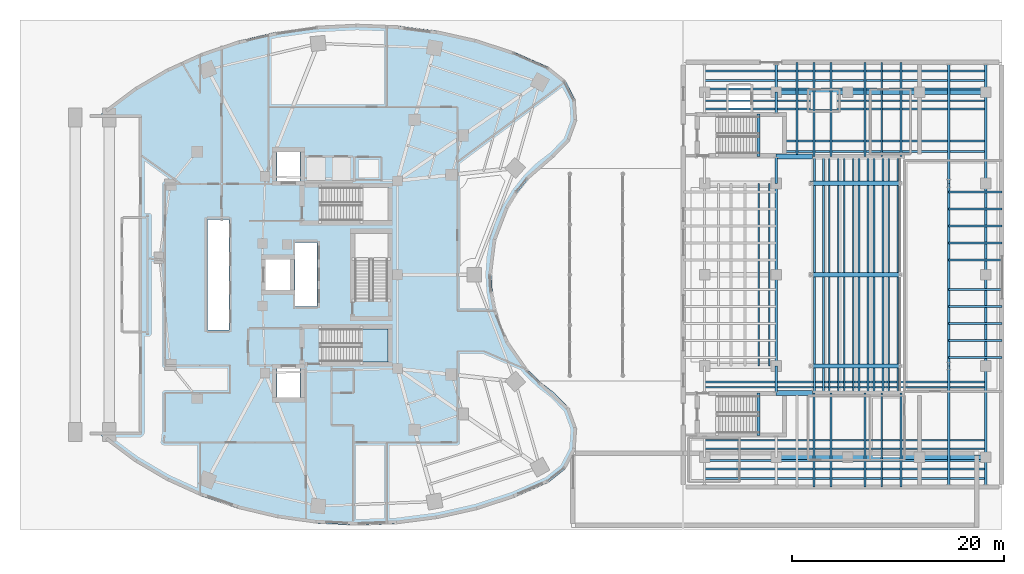
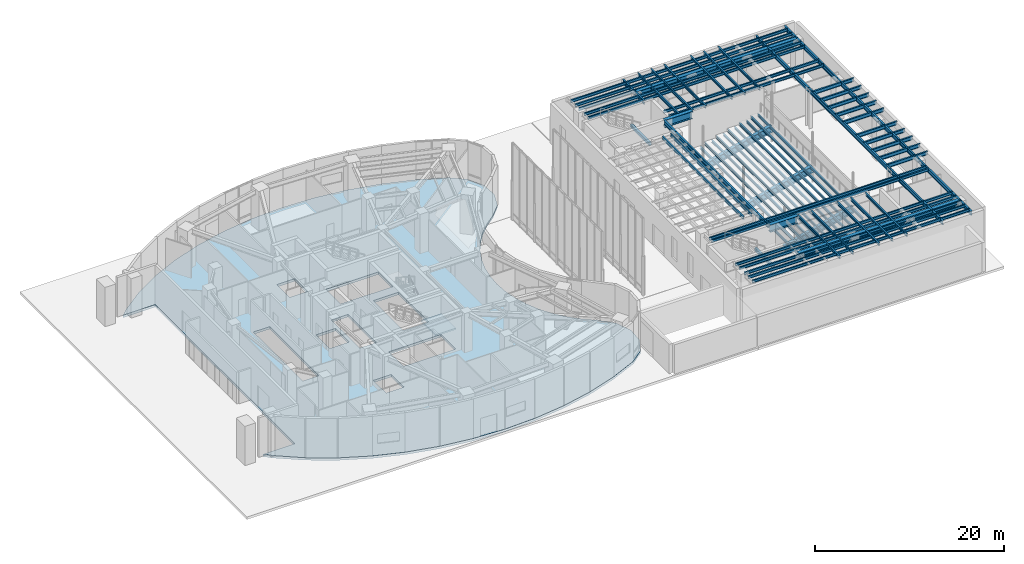
# One storey, part 13 of 28: 73 beams, 2 slabs, 1 element without a shape of its own.
"""IFC4 building model written with IfcOpenShell, lengths in metres."""

from ifc_helpers import new_model, si_unit, direction, frame, origin, origin_2d, place, context, subcontext, project, spatial, polyline, rectangle, i_section, outline, extrude, material, layer, layer_set, material_profile, profile_set, type_object, element, aggregate, save


model = new_model("IFC4")

# Units and contexts
model_context = context("Model", 3, precision=1e-05, world=origin(), true_north=direction((0.0, 1.0)))
body_context = subcontext(model_context, "Body", "Model", "MODEL_VIEW")
ifc_project = project(units=[si_unit("LENGTHUNIT", "METRE"), si_unit("AREAUNIT", "SQUARE_METRE"), si_unit("VOLUMEUNIT", "CUBIC_METRE"), si_unit("PLANEANGLEUNIT", "RADIAN"), si_unit("MASSUNIT", "GRAM", prefix="KILO")], contexts=[model_context])

# Site, building, storey
site_placement = place(None, origin())
site = spatial("IfcSite", under=ifc_project, at=site_placement, CompositionType="ELEMENT")
building_placement = place(site_placement, origin())
building = spatial("IfcBuilding", under=site, at=building_placement, Name="Korentha Bioscience Tower", CompositionType="ELEMENT")
storey_placement = place(building_placement, origin())
storey = spatial("IfcBuildingStorey", under=building, at=storey_placement, Name="L00", CompositionType="ELEMENT", Elevation=0.0)

# Beams
ifc_material_1 = material(Name="Steel S355", Category="steel")
ifc_material_profile_1 = material_profile(ifc_material_1, i_section(OverallWidth=0.166015625, OverallDepth=0.31298828125, WebThickness=0.006591796875, FlangeThickness=0.01123046875, at=origin_2d()), Name="Steel S355")
ifc_profile_set_1 = profile_set([ifc_material_profile_1], Name="Steel S355 (TS-310)")
beam_type_1 = type_object("IfcBeamType", Name="Auditorium Tier Stringer Beam W310x44.5", PredefinedType="BEAM", material=ifc_profile_set_1)
for number, where, z_axis, x_axis, name in (
    (1, (76.85009765625, 15.85009765625, -0.056396484375), (0.0, 1.0, 0.0), (-1.0, 0.0, 0.0), "L00 Tier Stringer Beam 1F"),
    (2, (77.699951171875, 15.85009765625, -0.056396484375), (0.0, 1.0, 0.0), (-1.0, 0.0, 0.0), "L00 Tier Stringer Beam 1B"),
    (3, (78.25, 15.85009765625, 0.303466796875), (0.0, 1.0, 0.0), (-1.0, 0.0, 0.0), "L00 Tier Stringer Beam 2F"),
    (4, (79.10009765625, 15.85009765625, 0.303466796875), (0.0, 1.0, 0.0), (-1.0, 0.0, 0.0), "L00 Tier Stringer Beam 2B"),
    (5, (79.64990234375, 15.85009765625, 0.66357421875), (0.0, 1.0, 0.0), (-1.0, 0.0, 0.0), "L00 Tier Stringer Beam 3F"),
    (6, (80.5, 15.85009765625, 0.66357421875), (0.0, 1.0, 0.0), (-1.0, 0.0, 0.0), "L00 Tier Stringer Beam 3B"),
    (7, (81.050048828125, 15.85009765625, 1.0234375), (0.0, 1.0, 0.0), (-1.0, 0.0, 0.0), "L00 Tier Stringer Beam 4F"),
    (8, (81.89990234375, 15.85009765625, 1.0234375), (0.0, 1.0, 0.0), (-1.0, 0.0, 0.0), "L00 Tier Stringer Beam 4B"),
    (9, (82.449951171875, 15.85009765625, 1.383544921875), (0.0, 1.0, 0.0), (-1.0, 0.0, 0.0), "L00 Tier Stringer Beam 5F"),
    (10, (83.300048828125, 15.85009765625, 1.383544921875), (0.0, 1.0, 0.0), (-1.0, 0.0, 0.0), "L00 Tier Stringer Beam 5B"),
    (11, (83.85009765625, 15.85009765625, 1.743408203125), (0.0, 1.0, 0.0), (-1.0, 0.0, 0.0), "L00 Tier Stringer Beam 6F"),
    (12, (84.699951171875, 15.85009765625, 1.743408203125), (0.0, 1.0, 0.0), (-1.0, 0.0, 0.0), "L00 Tier Stringer Beam 6B"),
):
    element("IfcBeam", number, at=place(storey_placement, frame(where, z_axis=z_axis, x_axis=x_axis)), inside=storey, type_object=beam_type_1, Name=name, PredefinedType="BEAM", context=body_context, shape_type="SweptSolid", body=[
        extrude(i_section(OverallWidth=0.166015625, OverallDepth=0.31298828125, WebThickness=0.006591796875, FlangeThickness=0.01123046875, at=origin_2d()), origin(), (0.0, 0.0, 1.0), 22.2998046875),
    ])
ifc_material_2 = material(Name="Concrete C50", Category="concrete")
ifc_material_profile_2 = material_profile(ifc_material_2, rectangle(XDim=0.280029296875, YDim=0.3798828125, at=origin_2d()), Name="Concrete C50")
ifc_profile_set_2 = profile_set([ifc_material_profile_2], Name="Concrete C50 (ST-HB380)")
beam_type_2 = type_object("IfcBeamType", Name="Concrete Stair Header Beam RC 280x380", PredefinedType="BEAM", material=ifc_profile_set_2)
for number, where, z_axis, x_axis, name in (
    (13, (71.570068359375, 11.85009765625, 2.510009765625), (0.0, 1.0, 0.0), (-1.0, 0.0, 0.0), "L00 ST-T1 Half-Landing Header Beam 1"),
    (14, (71.570068359375, 38.14990234375, 2.510009765625), (0.0, 1.0, 0.0), (-1.0, 0.0, 0.0), "L00 ST-T2 Half-Landing Header Beam 1"),
):
    element("IfcBeam", number, at=place(storey_placement, frame(where, z_axis=z_axis, x_axis=x_axis)), inside=storey, type_object=beam_type_2, Name=name, PredefinedType="BEAM", context=body_context, shape_type="SweptSolid", body=[
        extrude(rectangle(XDim=0.280029296875, YDim=0.3798828125, at=origin_2d()), origin(), (0.0, 0.0, 1.0), 4.0),
    ])
ifc_material_profile_3 = material_profile(ifc_material_1, i_section(OverallWidth=0.208984375, OverallDepth=0.532958984375, WebThickness=0.01025390625, FlangeThickness=0.015625, at=origin_2d()), Name="Steel S355")
ifc_profile_set_3 = profile_set([ifc_material_profile_3], Name="Steel S355 (SB-530)")
beam_type_3 = type_object("IfcBeamType", Name="Perimeter Ring Spandrel Girder W530x92", PredefinedType="SPANDREL", material=ifc_profile_set_3)
beam_1_placement = place(storey_placement, frame((73.25, 15.949951171875, 4.83349609375), z_axis=(0.0, 1.0, 0.0), x_axis=(-1.0, 0.0, 0.0)))
element("IfcBeam", 15, at=beam_1_placement, inside=storey, type_object=beam_type_3, Name="L00 Theatre Collector Girder 2-3", PredefinedType="SPANDREL", context=body_context, shape_type="SweptSolid", body=[
    extrude(i_section(OverallWidth=0.208984375, OverallDepth=0.532958984375, WebThickness=0.01025390625, FlangeThickness=0.015625, at=origin_2d()), origin(), (0.0, 0.0, 1.0), 2.449951171875),
])
for number, where, z_axis, x_axis, name in (
    (16, (73.25, 18.39990234375, 4.83349609375), (0.0, 1.0, 0.0), (-1.0, 0.0, 0.0), "L00 Theatre Collector Girder 2-4"),
    (17, (73.25, 27.0, 4.83349609375), (0.0, 1.0, 0.0), (-1.0, 0.0, 0.0), "L00 Theatre Collector Girder 2-5"),
):
    element("IfcBeam", number, at=place(storey_placement, frame(where, z_axis=z_axis, x_axis=x_axis)), inside=storey, type_object=beam_type_3, Name=name, PredefinedType="SPANDREL", context=body_context, shape_type="SweptSolid", body=[
        extrude(i_section(OverallWidth=0.208984375, OverallDepth=0.532958984375, WebThickness=0.01025390625, FlangeThickness=0.015625, at=origin_2d()), origin(), (0.0, 0.0, 1.0), 8.60009765625),
    ])
beam_2_placement = place(storey_placement, frame((73.25, 35.60009765625, 4.83349609375), z_axis=(0.0, 1.0, 0.0), x_axis=(-1.0, 0.0, 0.0)))
element("IfcBeam", 18, at=beam_2_placement, inside=storey, type_object=beam_type_3, Name="L00 Theatre Collector Girder 2-6", PredefinedType="SPANDREL", context=body_context, shape_type="SweptSolid", body=[
    extrude(i_section(OverallWidth=0.208984375, OverallDepth=0.532958984375, WebThickness=0.01025390625, FlangeThickness=0.015625, at=origin_2d()), origin(), (0.0, 0.0, 1.0), 2.449951171875),
])
beam_3_placement = place(storey_placement, frame((73.25, 42.25, 4.83349609375), z_axis=(0.0, 1.0, 0.0), x_axis=(-1.0, 0.0, 0.0)))
element("IfcBeam", 19, at=beam_3_placement, inside=storey, type_object=beam_type_3, Name="L00 Theatre Collector Girder 2-7", PredefinedType="SPANDREL", context=body_context, shape_type="SweptSolid", body=[
    extrude(i_section(OverallWidth=0.208984375, OverallDepth=0.532958984375, WebThickness=0.01025390625, FlangeThickness=0.015625, at=origin_2d()), origin(), (0.0, 0.0, 1.0), 1.949951171875),
])
beam_4_placement = place(storey_placement, frame((73.25, 44.199951171875, 4.83349609375), z_axis=(0.0, 1.0, 0.0), x_axis=(-1.0, 0.0, 0.0)))
element("IfcBeam", 20, at=beam_4_placement, inside=storey, type_object=beam_type_3, Name="L00 Theatre Collector Girder 2-8", PredefinedType="SPANDREL", context=body_context, shape_type="SweptSolid", body=[
    extrude(i_section(OverallWidth=0.208984375, OverallDepth=0.532958984375, WebThickness=0.01025390625, FlangeThickness=0.015625, at=origin_2d()), origin(), (0.0, 0.0, 1.0), 2.590087890625),
])
beam_5_placement = place(storey_placement, frame((89.5, 7.2099609375, 4.83349609375), z_axis=(0.0, 1.0, 0.0), x_axis=(-1.0, 0.0, 0.0)))
element("IfcBeam", 21, at=beam_5_placement, inside=storey, type_object=beam_type_3, Name="L00 Theatre Collector Girder 3-1", PredefinedType="SPANDREL", context=body_context, shape_type="SweptSolid", body=[
    extrude(i_section(OverallWidth=0.208984375, OverallDepth=0.532958984375, WebThickness=0.01025390625, FlangeThickness=0.015625, at=origin_2d()), origin(), (0.0, 0.0, 1.0), 11.18994140625),
])
beam_6_placement = place(storey_placement, frame((89.5, 18.39990234375, 4.83349609375), z_axis=(0.0, 1.0, 0.0), x_axis=(-1.0, 0.0, 0.0)))
element("IfcBeam", 22, at=beam_6_placement, inside=storey, type_object=beam_type_3, Name="L00 Theatre Collector Girder 3-2", PredefinedType="SPANDREL", context=body_context, shape_type="SweptSolid", body=[
    extrude(i_section(OverallWidth=0.208984375, OverallDepth=0.532958984375, WebThickness=0.01025390625, FlangeThickness=0.015625, at=origin_2d()), origin(), (0.0, 0.0, 1.0), 17.2001953125),
])
beam_7_placement = place(storey_placement, frame((89.5, 35.60009765625, 4.83349609375), z_axis=(0.0, 1.0, 0.0), x_axis=(-1.0, 0.0, 0.0)))
element("IfcBeam", 23, at=beam_7_placement, inside=storey, type_object=beam_type_3, Name="L00 Theatre Collector Girder 3-3", PredefinedType="SPANDREL", context=body_context, shape_type="SweptSolid", body=[
    extrude(i_section(OverallWidth=0.208984375, OverallDepth=0.532958984375, WebThickness=0.01025390625, FlangeThickness=0.015625, at=origin_2d()), origin(), (0.0, 0.0, 1.0), 11.18994140625),
])
beam_8_placement = place(storey_placement, frame((93.0, 7.2099609375, 4.83349609375), z_axis=(0.0, 1.0, 0.0), x_axis=(-1.0, 0.0, 0.0)))
element("IfcBeam", 24, at=beam_8_placement, inside=storey, type_object=beam_type_3, Name="L00 Theatre Collector Girder 4-1", PredefinedType="SPANDREL", context=body_context, shape_type="SweptSolid", body=[
    extrude(i_section(OverallWidth=0.208984375, OverallDepth=0.532958984375, WebThickness=0.01025390625, FlangeThickness=0.015625, at=origin_2d()), origin(), (0.0, 0.0, 1.0), 2.590087890625),
])
beam_9_placement = place(storey_placement, frame((93.0, 9.800048828125, 4.83349609375), z_axis=(0.0, 1.0, 0.0), x_axis=(-1.0, 0.0, 0.0)))
element("IfcBeam", 25, at=beam_9_placement, inside=storey, type_object=beam_type_3, Name="L00 Theatre Collector Girder 4-2", PredefinedType="SPANDREL", context=body_context, shape_type="SweptSolid", body=[
    extrude(i_section(OverallWidth=0.208984375, OverallDepth=0.532958984375, WebThickness=0.01025390625, FlangeThickness=0.015625, at=origin_2d()), origin(), (0.0, 0.0, 1.0), 8.599853515625),
])
for number, where, z_axis, x_axis, name in (
    (26, (93.0, 18.39990234375, 4.83349609375), (0.0, 1.0, 0.0), (-1.0, 0.0, 0.0), "L00 Theatre Collector Girder 4-3"),
    (27, (93.0, 27.0, 4.83349609375), (0.0, 1.0, 0.0), (-1.0, 0.0, 0.0), "L00 Theatre Collector Girder 4-4"),
):
    element("IfcBeam", number, at=place(storey_placement, frame(where, z_axis=z_axis, x_axis=x_axis)), inside=storey, type_object=beam_type_3, Name=name, PredefinedType="SPANDREL", context=body_context, shape_type="SweptSolid", body=[
        extrude(i_section(OverallWidth=0.208984375, OverallDepth=0.532958984375, WebThickness=0.01025390625, FlangeThickness=0.015625, at=origin_2d()), origin(), (0.0, 0.0, 1.0), 8.60009765625),
    ])
beam_10_placement = place(storey_placement, frame((93.0, 35.60009765625, 4.83349609375), z_axis=(0.0, 1.0, 0.0), x_axis=(-1.0, 0.0, 0.0)))
element("IfcBeam", 28, at=beam_10_placement, inside=storey, type_object=beam_type_3, Name="L00 Theatre Collector Girder 4-5", PredefinedType="SPANDREL", context=body_context, shape_type="SweptSolid", body=[
    extrude(i_section(OverallWidth=0.208984375, OverallDepth=0.532958984375, WebThickness=0.01025390625, FlangeThickness=0.015625, at=origin_2d()), origin(), (0.0, 0.0, 1.0), 8.599853515625),
])
beam_11_placement = place(storey_placement, frame((93.0, 44.199951171875, 4.83349609375), z_axis=(0.0, 1.0, 0.0), x_axis=(-1.0, 0.0, 0.0)))
element("IfcBeam", 29, at=beam_11_placement, inside=storey, type_object=beam_type_3, Name="L00 Theatre Collector Girder 4-6", PredefinedType="SPANDREL", context=body_context, shape_type="SweptSolid", body=[
    extrude(i_section(OverallWidth=0.208984375, OverallDepth=0.532958984375, WebThickness=0.01025390625, FlangeThickness=0.015625, at=origin_2d()), origin(), (0.0, 0.0, 1.0), 2.590087890625),
])
ifc_material_profile_4 = material_profile(ifc_material_1, i_section(OverallWidth=0.18994140625, OverallDepth=0.45703125, WebThickness=0.009033203125, FlangeThickness=0.014404296875, at=origin_2d()), Name="Steel S355")
ifc_profile_set_4 = profile_set([ifc_material_profile_4], Name="Steel S355 (RB-460)")
beam_type_4 = type_object("IfcBeamType", Name="Radial Laboratory Beam W460x74", PredefinedType="BEAM", material=ifc_profile_set_4)
for number, where, z_axis, x_axis, name in (
    (30, (89.5, 19.199951171875, 4.87158203125), (1.0, 0.0, 0.0), (0.0, 1.0, 0.0), "L00 Stage Fly-Tower Girder 01"),
    (31, (89.5, 20.800048828125, 4.87158203125), (1.0, 0.0, 0.0), (0.0, 1.0, 0.0), "L00 Stage Fly-Tower Girder 02"),
    (32, (89.5, 22.39990234375, 4.87158203125), (1.0, 0.0, 0.0), (0.0, 1.0, 0.0), "L00 Stage Fly-Tower Girder 03"),
    (33, (89.5, 24.0, 4.87158203125), (1.0, 0.0, 0.0), (0.0, 1.0, 0.0), "L00 Stage Fly-Tower Girder 04"),
    (34, (89.5, 25.60009765625, 4.87158203125), (1.0, 0.0, 0.0), (0.0, 1.0, 0.0), "L00 Stage Fly-Tower Girder 05"),
    (35, (89.5, 28.39990234375, 4.87158203125), (1.0, 0.0, 0.0), (0.0, 1.0, 0.0), "L00 Stage Fly-Tower Girder 06"),
    (36, (89.5, 30.0, 4.87158203125), (1.0, 0.0, 0.0), (0.0, 1.0, 0.0), "L00 Stage Fly-Tower Girder 07"),
    (37, (89.5, 31.60009765625, 4.87158203125), (1.0, 0.0, 0.0), (0.0, 1.0, 0.0), "L00 Stage Fly-Tower Girder 08"),
    (38, (89.5, 33.199951171875, 4.87158203125), (1.0, 0.0, 0.0), (0.0, 1.0, 0.0), "L00 Stage Fly-Tower Girder 09"),
    (39, (89.5, 34.800048828125, 4.87158203125), (1.0, 0.0, 0.0), (0.0, 1.0, 0.0), "L00 Stage Fly-Tower Girder 10"),
):
    element("IfcBeam", number, at=place(storey_placement, frame(where, z_axis=z_axis, x_axis=x_axis)), inside=storey, type_object=beam_type_4, Name=name, PredefinedType="BEAM", context=body_context, shape_type="SweptSolid", body=[
        extrude(i_section(OverallWidth=0.18994140625, OverallDepth=0.45703125, WebThickness=0.009033203125, FlangeThickness=0.014404296875, at=origin_2d()), origin(), (0.0, 0.0, 1.0), 5.0),
    ])
ifc_material_profile_5 = material_profile(ifc_material_1, i_section(OverallWidth=0.1708984375, OverallDepth=0.35498046875, WebThickness=0.007080078125, FlangeThickness=0.01171875, at=origin_2d()), Name="Steel S355")
ifc_profile_set_5 = profile_set([ifc_material_profile_5], Name="Steel S355 (JB-360)")
beam_type_5 = type_object("IfcBeamType", Name="Secondary Laboratory Joist W360x51", PredefinedType="JOIST", material=ifc_profile_set_5)
for number, where, z_axis, x_axis, name in (
    (40, (66.5, 7.800048828125, 4.922607421875), (1.0, 0.0, 0.0), (0.0, 1.0, 0.0), "L00 Theatre Wing Secondary Joist 01"),
    (41, (66.5, 8.699951171875, 4.922607421875), (1.0, 0.0, 0.0), (0.0, 1.0, 0.0), "L00 Theatre Wing Secondary Joist 02"),
    (42, (66.5, 9.5, 4.922607421875), (1.0, 0.0, 0.0), (0.0, 1.0, 0.0), "L00 Theatre Wing Secondary Joist 03"),
    (43, (66.5, 10.60009765625, 4.922607421875), (1.0, 0.0, 0.0), (0.0, 1.0, 0.0), "L00 Theatre Wing Secondary Joist 04"),
    (44, (66.5, 11.39990234375, 4.922607421875), (1.0, 0.0, 0.0), (0.0, 1.0, 0.0), "L00 Theatre Wing Secondary Joist 05"),
    (45, (66.5, 16.39990234375, 4.922607421875), (1.0, 0.0, 0.0), (0.0, 1.0, 0.0), "L00 Theatre Wing Secondary Joist 06"),
    (46, (66.5, 16.89990234375, 4.922607421875), (1.0, 0.0, 0.0), (0.0, 1.0, 0.0), "L00 Theatre Wing Secondary Joist 07"),
):
    element("IfcBeam", number, at=place(storey_placement, frame(where, z_axis=z_axis, x_axis=x_axis)), inside=storey, type_object=beam_type_5, Name=name, PredefinedType="JOIST", context=body_context, shape_type="SweptSolid", body=[
        extrude(i_section(OverallWidth=0.1708984375, OverallDepth=0.35498046875, WebThickness=0.007080078125, FlangeThickness=0.01171875, at=origin_2d()), origin(), (0.0, 0.0, 1.0), 26.5),
    ])
for number, where, z_axis, x_axis, name in (
    (47, (74.0400390625, 38.60009765625, 4.922607421875), (1.0, 0.0, 0.0), (0.0, 1.0, 0.0), "L00 Theatre Wing Secondary Joist 08"),
    (48, (74.0400390625, 39.60009765625, 4.922607421875), (1.0, 0.0, 0.0), (0.0, 1.0, 0.0), "L00 Theatre Wing Secondary Joist 09"),
):
    element("IfcBeam", number, at=place(storey_placement, frame(where, z_axis=z_axis, x_axis=x_axis)), inside=storey, type_object=beam_type_5, Name=name, PredefinedType="JOIST", context=body_context, shape_type="SweptSolid", body=[
        extrude(i_section(OverallWidth=0.1708984375, OverallDepth=0.35498046875, WebThickness=0.007080078125, FlangeThickness=0.01171875, at=origin_2d()), origin(), (0.0, 0.0, 1.0), 18.9599609375),
    ])
for number, where, z_axis, x_axis, name in (
    (49, (66.5, 42.60009765625, 4.922607421875), (1.0, 0.0, 0.0), (0.0, 1.0, 0.0), "L00 Theatre Wing Secondary Joist 10"),
    (50, (66.5, 43.39990234375, 4.922607421875), (1.0, 0.0, 0.0), (0.0, 1.0, 0.0), "L00 Theatre Wing Secondary Joist 11"),
    (51, (66.5, 44.5, 4.922607421875), (1.0, 0.0, 0.0), (0.0, 1.0, 0.0), "L00 Theatre Wing Secondary Joist 12"),
    (52, (66.5, 45.300048828125, 4.922607421875), (1.0, 0.0, 0.0), (0.0, 1.0, 0.0), "L00 Theatre Wing Secondary Joist 13"),
    (53, (66.5, 46.199951171875, 4.922607421875), (1.0, 0.0, 0.0), (0.0, 1.0, 0.0), "L00 Theatre Wing Secondary Joist 14"),
):
    element("IfcBeam", number, at=place(storey_placement, frame(where, z_axis=z_axis, x_axis=x_axis)), inside=storey, type_object=beam_type_5, Name=name, PredefinedType="JOIST", context=body_context, shape_type="SweptSolid", body=[
        extrude(i_section(OverallWidth=0.1708984375, OverallDepth=0.35498046875, WebThickness=0.007080078125, FlangeThickness=0.01171875, at=origin_2d()), origin(), (0.0, 0.0, 1.0), 26.5),
    ])
for number, where, z_axis, x_axis, name in (
    (54, (71.60009765625, 18.39990234375, 4.922607421875), (0.0, 1.0, 0.0), (-1.0, 0.0, 0.0), "L00 Theatre Foyer Longitudinal Joist 04"),
    (55, (72.60009765625, 18.39990234375, 4.922607421875), (0.0, 1.0, 0.0), (-1.0, 0.0, 0.0), "L00 Theatre Foyer Longitudinal Joist 05"),
):
    element("IfcBeam", number, at=place(storey_placement, frame(where, z_axis=z_axis, x_axis=x_axis)), inside=storey, type_object=beam_type_5, Name=name, PredefinedType="JOIST", context=body_context, shape_type="SweptSolid", body=[
        extrude(i_section(OverallWidth=0.1708984375, OverallDepth=0.35498046875, WebThickness=0.007080078125, FlangeThickness=0.01171875, at=origin_2d()), origin(), (0.0, 0.0, 1.0), 17.2001953125),
    ])
beam_12_placement = place(storey_placement, frame((75.199951171875, 38.340087890625, 4.922607421875), z_axis=(0.0, 1.0, 0.0), x_axis=(-1.0, 0.0, 0.0)))
element("IfcBeam", 56, at=beam_12_placement, inside=storey, type_object=beam_type_5, Name="L00 North Wing Longitudinal Joist 06", PredefinedType="JOIST", context=body_context, shape_type="SweptSolid", body=[
    extrude(i_section(OverallWidth=0.1708984375, OverallDepth=0.35498046875, WebThickness=0.007080078125, FlangeThickness=0.01171875, at=origin_2d()), origin(), (0.0, 0.0, 1.0), 8.659912109375),
])
for number, where, z_axis, x_axis, name in (
    (57, (76.800048828125, 7.0, 4.922607421875), (0.0, 1.0, 0.0), (-1.0, 0.0, 0.0), "L00 South Wing Longitudinal Joist 07"),
    (58, (76.800048828125, 38.14990234375, 4.922607421875), (0.0, 1.0, 0.0), (-1.0, 0.0, 0.0), "L00 North Wing Longitudinal Joist 07"),
    (59, (78.39990234375, 7.0, 4.922607421875), (0.0, 1.0, 0.0), (-1.0, 0.0, 0.0), "L00 South Wing Longitudinal Joist 08"),
    (60, (78.39990234375, 38.14990234375, 4.922607421875), (0.0, 1.0, 0.0), (-1.0, 0.0, 0.0), "L00 North Wing Longitudinal Joist 08"),
    (61, (81.60009765625, 7.0, 4.922607421875), (0.0, 1.0, 0.0), (-1.0, 0.0, 0.0), "L00 South Wing Longitudinal Joist 09"),
    (62, (81.60009765625, 38.14990234375, 4.922607421875), (0.0, 1.0, 0.0), (-1.0, 0.0, 0.0), "L00 North Wing Longitudinal Joist 09"),
    (63, (83.199951171875, 7.0, 4.922607421875), (0.0, 1.0, 0.0), (-1.0, 0.0, 0.0), "L00 South Wing Longitudinal Joist 10"),
    (64, (83.199951171875, 38.14990234375, 4.922607421875), (0.0, 1.0, 0.0), (-1.0, 0.0, 0.0), "L00 North Wing Longitudinal Joist 10"),
    (65, (85.0, 7.0, 4.922607421875), (0.0, 1.0, 0.0), (-1.0, 0.0, 0.0), "L00 South Wing Longitudinal Joist 11"),
    (66, (85.0, 38.14990234375, 4.922607421875), (0.0, 1.0, 0.0), (-1.0, 0.0, 0.0), "L00 North Wing Longitudinal Joist 11"),
):
    element("IfcBeam", number, at=place(storey_placement, frame(where, z_axis=z_axis, x_axis=x_axis)), inside=storey, type_object=beam_type_5, Name=name, PredefinedType="JOIST", context=body_context, shape_type="SweptSolid", body=[
        extrude(i_section(OverallWidth=0.1708984375, OverallDepth=0.35498046875, WebThickness=0.007080078125, FlangeThickness=0.01171875, at=origin_2d()), origin(), (0.0, 0.0, 1.0), 8.85009765625),
    ])
ifc_material_profile_6 = material_profile(ifc_material_1, i_section(OverallWidth=0.419921875, OverallDepth=0.85009765625, WebThickness=0.01806640625, FlangeThickness=0.031982421875, at=origin_2d()), Name="Steel S355")
ifc_profile_set_6 = profile_set([ifc_material_profile_6], Name="Steel S355 (TR-850)")
beam_type_6 = type_object("IfcBeamType", Name="Theatre Auditorium Raker Girder CVS 850x315", PredefinedType="USERDEFINED", material=ifc_profile_set_6)
for number, where, z_axis, x_axis, name in (
    (67, (84.949951171875, 18.39990234375, 1.487060546875), (-0.967027555498, 0.0, -0.254671763075), (0.0, -1.0, 0.0), "L00 Auditorium Raker Girder Y18"),
    (68, (84.949951171875, 27.0, 1.487060546875), (-0.967027555498, 0.0, -0.254671763075), (0.0, -1.0, 0.0), "L00 Auditorium Raker Girder Y27"),
    (69, (84.949951171875, 35.60009765625, 1.487060546875), (-0.967027555498, 0.0, -0.254671763075), (0.0, -1.0, 0.0), "L00 Auditorium Raker Girder Y35"),
):
    element("IfcBeam", number, at=place(storey_placement, frame(where, z_axis=z_axis, x_axis=x_axis)), inside=storey, type_object=beam_type_6, Name=name, ObjectType="RAKER", PredefinedType="USERDEFINED", context=body_context, shape_type="SweptSolid", body=[
        extrude(i_section(OverallWidth=0.419921875, OverallDepth=0.85009765625, WebThickness=0.01806640625, FlangeThickness=0.031982421875, at=origin_2d()), origin(), (0.0, 0.0, 1.0), 8.686279296875),
    ])
ifc_material_profile_7 = material_profile(ifc_material_1, i_section(OverallWidth=0.449951171875, OverallDepth=0.949951171875, WebThickness=0.02001953125, FlangeThickness=0.034912109375, at=origin_2d()), Name="Steel S355")
ifc_profile_set_7 = profile_set([ifc_material_profile_7], Name="Steel S355 (TB-950)")
beam_type_7 = type_object("IfcBeamType", Name="Theatre Primary Girder CVS 950x374", PredefinedType="BEAM", material=ifc_profile_set_7)
for number, where, z_axis, x_axis, name in (
    (70, (73.25, 15.85009765625, 4.625), (1.0, 0.0, 0.0), (0.0, 1.0, 0.0), "L00 Theatre Corridor Header Girder S"),
    (71, (73.25, 38.14990234375, 4.625), (1.0, 0.0, 0.0), (0.0, 1.0, 0.0), "L00 Theatre Corridor Header Girder N"),
):
    element("IfcBeam", number, at=place(storey_placement, frame(where, z_axis=z_axis, x_axis=x_axis)), inside=storey, type_object=beam_type_7, Name=name, PredefinedType="BEAM", context=body_context, shape_type="SweptSolid", body=[
        extrude(i_section(OverallWidth=0.449951171875, OverallDepth=0.949951171875, WebThickness=0.02001953125, FlangeThickness=0.034912109375, at=origin_2d()), origin(), (0.0, 0.0, 1.0), 3.39990234375),
    ])
for number, where, z_axis, x_axis, name in (
    (72, (73.25, 9.800048828125, 4.625), (1.0, 0.0, 0.0), (0.0, 1.0, 0.0), "L00 Theatre Long-Span Girder 1"),
    (73, (73.25, 44.199951171875, 4.625), (1.0, 0.0, 0.0), (0.0, 1.0, 0.0), "L00 Theatre Long-Span Girder 5"),
):
    element("IfcBeam", number, at=place(storey_placement, frame(where, z_axis=z_axis, x_axis=x_axis)), inside=storey, type_object=beam_type_7, Name=name, PredefinedType="BEAM", context=body_context, shape_type="SweptSolid", body=[
        extrude(i_section(OverallWidth=0.449951171875, OverallDepth=0.949951171875, WebThickness=0.02001953125, FlangeThickness=0.034912109375, at=origin_2d()), origin(), (0.0, 0.0, 1.0), 19.75),
    ])

# Stair, slab
ifc_material_3 = material(Name="Precast Concrete C50", Category="concrete")
stair_type = type_object("IfcStairType", Name="Core Exit Dog-Leg Stair 1450", PredefinedType="HALF_TURN_STAIR", material=ifc_material_3)
stair_placement = place(storey_placement, origin())
stair = element("IfcStair", 74, at=stair_placement, inside=storey, type_object=stair_type, Name="L00 Tower South Pressurized Exit Stair ST-2", PredefinedType="HALF_TURN_STAIR")
ifc_layer_1 = layer(ifc_material_2, 0.199951171875, Name="Concrete C50")
ifc_layer_set_1 = layer_set([ifc_layer_1], Name="Concrete C50 (SL-LND)")
slab_type_1 = type_object("IfcSlabType", Name="Landing Slab 200", PredefinedType="LANDING", material=ifc_layer_set_1)
slab_1_placement = place(storey_placement, frame((0.0, 0.0, 2.5)))
slab_1 = element("IfcSlab", 75, at=slab_1_placement, type_object=slab_type_1, Name="ST-2 landing 1", PredefinedType="LANDING", context=body_context, shape_type="SweptSolid", body=[
    extrude(outline(polyline([(34.169921875, 18.800048828125), (36.64990234375, 18.800048828125), (36.64990234375, 21.89990234375), (34.169921875, 21.89990234375), (34.169921875, 18.800048828125)])), origin(), (0.0, 0.0, 1.0), 0.199951171875),
])
aggregate(stair, [slab_1])

# Slab
ifc_layer_2 = layer(ifc_material_2, 0.320068359375, Name="Concrete C50")
ifc_layer_set_2 = layer_set([ifc_layer_2], Name="Concrete C50 (SL-P320)")
slab_type_2 = type_object("IfcSlabType", Name="Podium Ground Structural Slab 320", PredefinedType="FLOOR", material=ifc_layer_set_2)
slab_2_placement = place(storey_placement, frame((0.0, 0.0, -0.320068359375)))
element("IfcSlab", 76, at=slab_2_placement, inside=storey, type_object=slab_type_2, Name="L00 Tower Structural Floor Slab", PredefinedType="FLOOR", context=body_context, shape_type="SweptSolid", body=[
    extrude(outline(polyline([(9.29736328125, 41.800048828125), (13.199951171875, 41.800048828125), (13.199951171875, 12.199951171875), (9.29736328125, 12.199951171875), (10.1220703125, 11.41357421875), (12.8134765625, 9.400634765625), (15.810791015625, 7.641845703125), (19.07080078125, 6.162353515625), (22.54638671875, 4.98388671875), (26.187255859375, 4.123291015625), (29.94091796875, 3.593017578125), (33.75341796875, 3.400634765625), (37.569091796875, 3.549072265625), (41.33349609375, 4.0361328125), (44.9921875, 4.854736328125), (48.49169921875, 5.9931640625), (51.7822265625, 7.434814453125), (53.368408203125, 8.69775390625), (54.307373046875, 10.4951171875), (54.4384765625, 12.518310546875), (53.739013671875, 14.421630859375), (52.3291015625, 15.878662109375), (51.029541015625, 16.875732421875), (49.861328125, 18.023681640625), (48.841796875, 19.3056640625), (47.98583984375, 20.7021484375), (47.306640625, 22.192626953125), (46.814208984375, 23.754638671875), (46.515625, 25.365234375), (46.415771484375, 27.0), (46.515625, 28.634765625), (46.814208984375, 30.245361328125), (47.306640625, 31.807373046875), (47.98583984375, 33.2978515625), (48.841796875, 34.6943359375), (49.861328125, 35.976318359375), (51.029541015625, 37.124267578125), (52.3291015625, 38.121337890625), (53.739013671875, 39.578369140625), (54.4384765625, 41.481689453125), (54.307373046875, 43.5048828125), (53.368408203125, 45.30224609375), (51.7822265625, 46.565185546875), (48.49169921875, 48.0068359375), (44.9921875, 49.145263671875), (41.33349609375, 49.9638671875), (37.569091796875, 50.450927734375), (33.75341796875, 50.599365234375), (29.94091796875, 50.406982421875), (26.187255859375, 49.876708984375), (22.54638671875, 49.01611328125), (19.07080078125, 47.837646484375), (15.810791015625, 46.358154296875), (12.8134765625, 44.599365234375), (10.1220703125, 42.58642578125), (9.29736328125, 41.800048828125)]), holes=[polyline([(30.25, 32.10009765625), (36.64990234375, 32.10009765625), (36.64990234375, 35.199951171875), (30.25, 35.199951171875), (30.25, 32.10009765625)]), polyline([(30.25, 18.800048828125), (36.64990234375, 18.800048828125), (36.64990234375, 21.89990234375), (30.25, 21.89990234375), (30.25, 18.800048828125)]), polyline([(36.64990234375, 24.550048828125), (36.64990234375, 30.89990234375), (33.550048828125, 30.89990234375), (33.550048828125, 24.550048828125), (36.64990234375, 24.550048828125)]), polyline([(19.679931640625, 21.780029296875), (21.669921875, 21.780029296875), (21.669921875, 32.219970703125), (19.679931640625, 32.219970703125), (19.679931640625, 21.780029296875)]), polyline([(27.929931640625, 24.030029296875), (29.969970703125, 24.030029296875), (29.969970703125, 30.02001953125), (27.929931640625, 30.02001953125), (27.929931640625, 24.030029296875)]), polyline([(26.199951171875, 15.449951171875), (28.39990234375, 15.449951171875), (28.39990234375, 18.14990234375), (26.199951171875, 18.14990234375), (26.199951171875, 15.449951171875)]), polyline([(26.199951171875, 35.85009765625), (28.39990234375, 35.85009765625), (28.39990234375, 38.550048828125), (26.199951171875, 38.550048828125), (26.199951171875, 35.85009765625)]), polyline([(25.14990234375, 25.550048828125), (27.550048828125, 25.550048828125), (27.550048828125, 28.449951171875), (25.14990234375, 28.449951171875), (25.14990234375, 25.550048828125)])]), origin(), (0.0, 0.0, 1.0), 0.320068359375),
])

save(model, "model.ifc")
